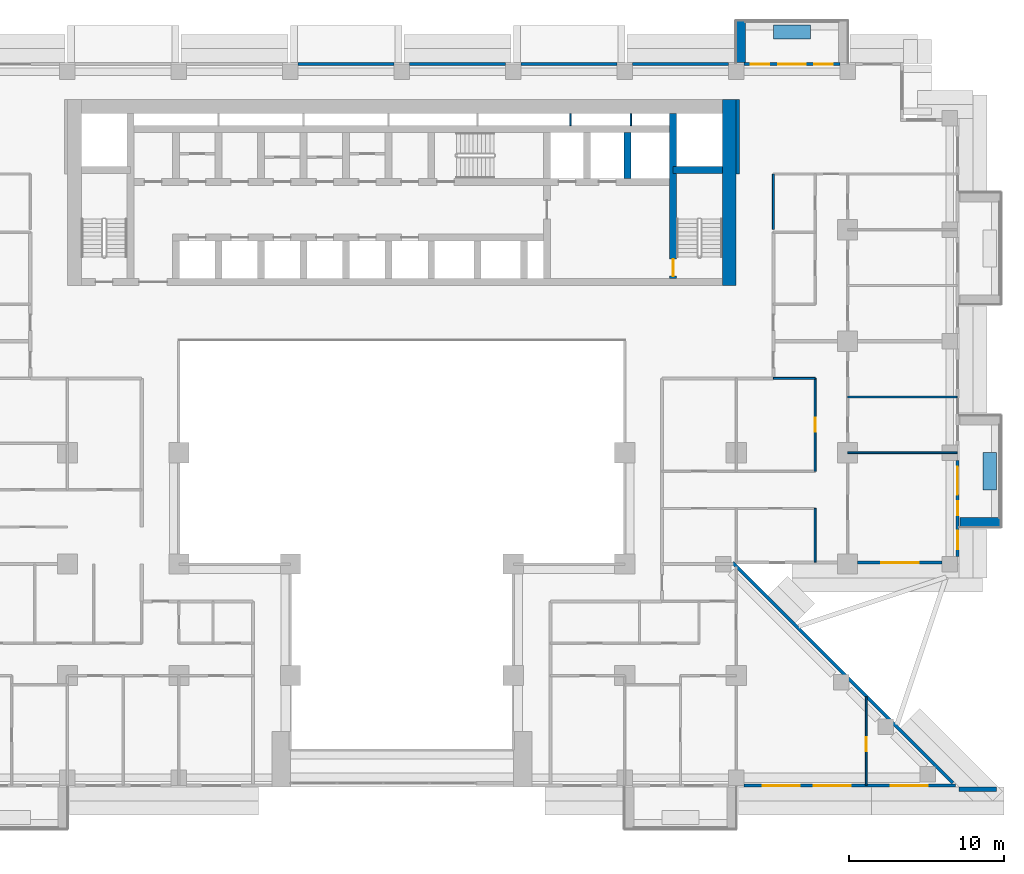
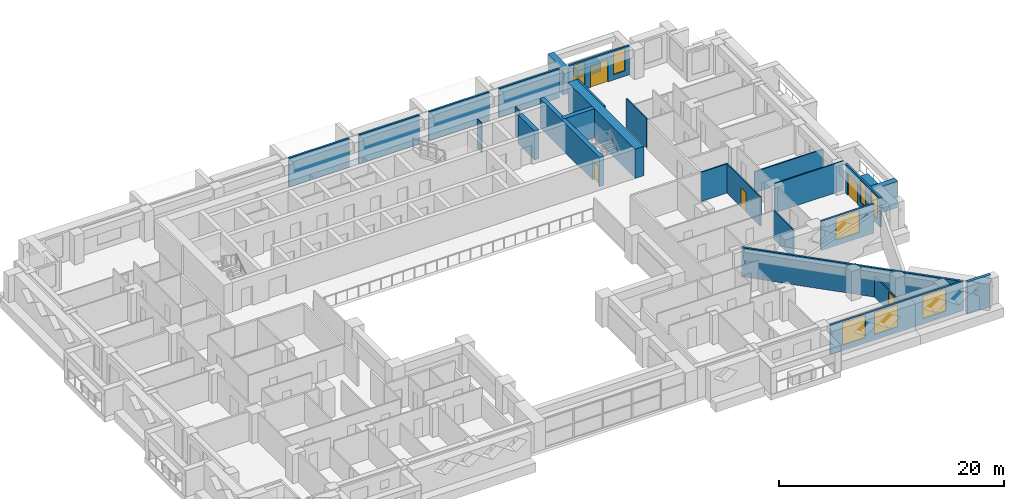
# One storey, part 11 of 17: 28 walls, 8 windows, 5 doors, 13 openings.
"""IFC4 building model written with IfcOpenShell, lengths in metres."""

from ifc_helpers import new_model, si_unit, direction, frame, frame_2d, origin, place, context, subcontext, project, spatial, rectangle, extrude, material, layer, layer_set, type_object, element, fill, save


model = new_model("IFC4")

# Units and contexts
model_context = context("Model", 3, precision=1e-05, world=origin(), true_north=direction((0.0, 1.0)))
body_context = subcontext(model_context, "Body", "Model", "MODEL_VIEW")
ifc_project = project(units=[si_unit("LENGTHUNIT", "METRE"), si_unit("AREAUNIT", "SQUARE_METRE"), si_unit("VOLUMEUNIT", "CUBIC_METRE"), si_unit("PLANEANGLEUNIT", "RADIAN"), si_unit("MASSUNIT", "GRAM", prefix="KILO")], contexts=[model_context])

# Site, building, storey
site_placement = place(None, origin())
site = spatial("IfcSite", under=ifc_project, at=site_placement, CompositionType="ELEMENT")
building_placement = place(site_placement, origin())
building = spatial("IfcBuilding", under=site, at=building_placement, Name="Saffron Iwan Residences", CompositionType="ELEMENT")
storey_placement = place(building_placement, frame((0.0, 0.0, 72.5)))
storey = spatial("IfcBuildingStorey", under=building, at=storey_placement, Name="L18", CompositionType="ELEMENT", Elevation=72.5)

# Walls
ifc_material_1 = material(Name="Concrete C50/60 white painted", Category="concrete")
ifc_layer_1 = layer(ifc_material_1, 0.60009765625)
ifc_layer_set_1 = layer_set([ifc_layer_1], Name="Concrete C50/60 white painted")
wall_type_1 = type_object("IfcWallType", Name="BALCONY FIN 600", PredefinedType="SOLIDWALL", material=ifc_layer_set_1)
wall_1_placement = place(storey_placement, frame((86.449951171875, 50.699951171875, 0.0), z_axis=(0.0, 0.0, 1.0), x_axis=(1.0, 0.0, 0.0)))
element("IfcWall", 1, at=wall_1_placement, inside=storey, type_object=wall_type_1, Name="Balcony fin L18 F2-0a", PredefinedType="SOLIDWALL", context=body_context, shape_type="SweptSolid", body=[
    extrude(rectangle(XDim=2.650146484375, YDim=0.60009765625, at=frame_2d((1.3251953125, 0.0))), origin(), (0.0, 0.0, 1.0), 2.85009765625),
])
wall_2_placement = place(storey_placement, frame((72.300048828125, 80.39990234375, 0.0), z_axis=(0.0, 0.0, 1.0), x_axis=(0.0, 1.0, 0.0)))
element("IfcWall", 2, at=wall_2_placement, inside=storey, type_object=wall_type_1, Name="Balcony fin L18 F5-0b", PredefinedType="SOLIDWALL", context=body_context, shape_type="SweptSolid", body=[
    extrude(rectangle(XDim=2.7001953125, YDim=0.60009765625, at=frame_2d((1.35009765625, 0.0))), origin(), (0.0, 0.0, 1.0), 2.85009765625),
])
ifc_material_2 = material(Name="Concrete C35/45 white painted", Category="concrete")
ifc_layer_2 = layer(ifc_material_2, 0.14990234375)
ifc_layer_set_2 = layer_set([ifc_layer_2], Name="Concrete C35/45 white painted")
wall_type_2 = type_object("IfcWallType", Name="BALCONY PLANTER", PredefinedType="SOLIDWALL", material=ifc_layer_set_2)
wall_3_placement = place(storey_placement, frame((88.375, 52.800048828125, 0.0), z_axis=(0.0, 0.0, 1.0), x_axis=(0.0, 1.0, 0.0)))
element("IfcWall", 3, at=wall_3_placement, inside=storey, type_object=wall_type_2, Name="PLANTER L18 F2-0", PredefinedType="SOLIDWALL", context=body_context, shape_type="SweptSolid", body=[
    extrude(rectangle(XDim=2.39990234375, YDim=0.89990234375, at=frame_2d((1.199951171875, 0.0))), origin(), (0.0, 0.0, 1.0), 0.89990234375),
])
wall_4_placement = place(storey_placement, frame((76.800048828125, 82.375, 0.0), z_axis=(0.0, 0.0, 1.0), x_axis=(-1.0, 0.0, 0.0)))
element("IfcWall", 4, at=wall_4_placement, inside=storey, type_object=wall_type_2, Name="PLANTER L18 F5-0", PredefinedType="SOLIDWALL", context=body_context, shape_type="SweptSolid", body=[
    extrude(rectangle(XDim=2.400146484375, YDim=0.89990234375, at=frame_2d((1.2001953125, 0.0))), origin(), (0.0, 0.0, 1.0), 0.89990234375),
])
ifc_material_3 = material(Name="Concrete C40/50", Category="concrete")
ifc_layer_3 = layer(ifc_material_3, 0.199951171875)
ifc_layer_set_3 = layer_set([ifc_layer_3], Name="Concrete C40/50")
wall_type_3 = type_object("IfcWallType", Name="EXTERNAL WALL 200", PredefinedType="SOLIDWALL", material=ifc_layer_set_3)
wall_5_placement = place(storey_placement, frame((85.995849609375, 33.862548828125, 0.0), z_axis=(0.0, 0.0, 1.0), x_axis=(-0.707100718496, 0.707112843825, 0.0)))
element("IfcWall", 5, at=wall_5_placement, inside=storey, type_object=wall_type_3, Name="External wall L18 F0.0", PredefinedType="SOLIDWALL", context=body_context, shape_type="SweptSolid", body=[
    extrude(rectangle(XDim=20.134765625, YDim=0.199951171875, at=frame_2d((10.0673828125, 0.0))), origin(), (0.0, 0.0, 1.0), 3.179931640625),
])

# Wall, opening, window
wall_6_placement = place(storey_placement, frame((79.85009765625, 48.10009765625, 0.0), z_axis=(0.0, 0.0, 1.0), x_axis=(1.0, 0.0, 0.0)))
wall_6 = element("IfcWall", 6, at=wall_6_placement, inside=storey, type_object=wall_type_3, Name="External wall L18 F1.1", PredefinedType="SOLIDWALL", context=body_context, shape_type="SweptSolid", body=[
    extrude(rectangle(XDim=5.449951171875, YDim=0.199951171875, at=frame_2d((2.72509765625, 0.0))), origin(), (0.0, 0.0, 1.0), 3.179931640625),
])
opening_1_placement = place(wall_6_placement, frame((1.52490234375, 0.0, 0.60009765625)))
opening_1 = element("IfcOpeningElement", 7, at=opening_1_placement, cuts=wall_6, Name="Opening W1", PredefinedType="OPENING", context=body_context, shape_type="SweptSolid", body=[
    extrude(rectangle(XDim=2.39990234375, YDim=2.39990234375, at=frame_2d((1.199951171875, 1.199951171875))), frame((0.0, 0.10986328125, 0.0), z_axis=(0.0, -1.0, 0.0), x_axis=(1.0, 0.0, 0.0)), (0.0, 0.0, 1.0), 0.219970703125),
])
ifc_material_4 = material(Name="Clear glass, laminated double glazed", Category="glass")
window_type_1 = type_object("IfcWindowType", Name="WINDOW 2400 x 2400", PartitioningType="DOUBLE_PANEL_VERTICAL", PredefinedType="WINDOW", material=ifc_material_4)
window_1_placement = place(opening_1_placement, origin())
window_1 = element("IfcWindow", 8, at=window_1_placement, inside=storey, type_object=window_type_1, Name="Window L18 F1.0", OverallHeight=2.39990234375, OverallWidth=2.39990234375, PartitioningType="DOUBLE_PANEL_VERTICAL", PredefinedType="WINDOW", context=body_context, shape_type="SweptSolid", body=[
    extrude(rectangle(XDim=2.39990234375, YDim=2.39990234375, at=frame_2d((1.199951171875, 1.199951171875))), frame((0.0, 0.030029296875, 0.0), z_axis=(0.0, -1.0, 0.0), x_axis=(1.0, 0.0, 0.0)), (0.0, 0.0, 1.0), 0.06005859375),
])
fill(opening_1, window_1)

# Wall, openings, door, windows
wall_7_placement = place(storey_placement, frame((86.300048828125, 48.5, 0.0), z_axis=(0.0, 0.0, 1.0), x_axis=(0.0, 1.0, 0.0)))
wall_7 = element("IfcWall", 9, at=wall_7_placement, inside=storey, type_object=wall_type_3, Name="External wall L18 F2.0", PredefinedType="SOLIDWALL", context=body_context, shape_type="SweptSolid", body=[
    extrude(rectangle(XDim=6.199951171875, YDim=0.199951171875, at=frame_2d((3.10009765625, 0.0))), origin(), (0.0, 0.0, 1.0), 3.179931640625),
])
opening_2_placement = place(wall_7_placement, frame((4.0, 0.0, 0.0)))
opening_2 = element("IfcOpeningElement", 10, at=opening_2_placement, cuts=wall_7, Name="Opening BD1", PredefinedType="OPENING", context=body_context, shape_type="SweptSolid", body=[
    extrude(rectangle(XDim=1.800048828125, YDim=2.39990234375, at=frame_2d((0.89990234375, 1.199951171875))), frame((0.0, 0.10986328125, 0.0), z_axis=(0.0, -1.0, 0.0), x_axis=(1.0, 0.0, 0.0)), (0.0, 0.0, 1.0), 0.219970703125),
])
opening_3_placement = place(wall_7_placement, frame((0.449951171875, 0.0, 0.60009765625)))
opening_3 = element("IfcOpeningElement", 11, at=opening_3_placement, cuts=wall_7, Name="Opening W3", PredefinedType="OPENING", context=body_context, shape_type="SweptSolid", body=[
    extrude(rectangle(XDim=1.199951171875, YDim=2.39990234375, at=frame_2d((0.60009765625, 1.199951171875))), frame((0.0, 0.10986328125, 0.0), z_axis=(0.0, -1.0, 0.0), x_axis=(1.0, 0.0, 0.0)), (0.0, 0.0, 1.0), 0.219970703125),
])
opening_4_placement = place(wall_7_placement, frame((2.64990234375, 0.0, 0.60009765625)))
opening_4 = element("IfcOpeningElement", 12, at=opening_4_placement, cuts=wall_7, Name="Opening W10", PredefinedType="OPENING", context=body_context, shape_type="SweptSolid", body=[
    extrude(rectangle(XDim=0.89990234375, YDim=2.39990234375, at=frame_2d((0.449951171875, 1.199951171875))), frame((0.0, 0.10986328125, 0.0), z_axis=(0.0, -1.0, 0.0), x_axis=(1.0, 0.0, 0.0)), (0.0, 0.0, 1.0), 0.219970703125),
])
door_type_1 = type_object("IfcDoorType", Name="BALCONY DOOR 1800 x 2400", OperationType="DOUBLE_DOOR_SLIDING", PredefinedType="DOOR", material=ifc_material_4)
door_1_placement = place(opening_2_placement, origin())
door_1 = element("IfcDoor", 13, at=door_1_placement, inside=storey, type_object=door_type_1, Name="Balcony door L18 F2.0", OperationType="DOUBLE_DOOR_SLIDING", OverallHeight=2.39990234375, OverallWidth=1.800048828125, PredefinedType="DOOR", context=body_context, shape_type="SweptSolid", body=[
    extrude(rectangle(XDim=1.800048828125, YDim=2.39990234375, at=frame_2d((0.89990234375, 1.199951171875))), frame((0.0, 0.02490234375, 0.0), z_axis=(0.0, -1.0, 0.0), x_axis=(1.0, 0.0, 0.0)), (0.0, 0.0, 1.0), 0.050048828125),
])
fill(opening_2, door_1)
window_type_2 = type_object("IfcWindowType", Name="WINDOW 1200 x 2400", PartitioningType="SINGLE_PANEL", PredefinedType="WINDOW", material=ifc_material_4)
window_2_placement = place(opening_3_placement, origin())
window_2 = element("IfcWindow", 14, at=window_2_placement, inside=storey, type_object=window_type_2, Name="Window L18 F2.1", OverallHeight=2.39990234375, OverallWidth=1.199951171875, PartitioningType="SINGLE_PANEL", PredefinedType="WINDOW", context=body_context, shape_type="SweptSolid", body=[
    extrude(rectangle(XDim=1.199951171875, YDim=2.39990234375, at=frame_2d((0.60009765625, 1.199951171875))), frame((0.0, 0.030029296875, 0.0), z_axis=(0.0, -1.0, 0.0), x_axis=(1.0, 0.0, 0.0)), (0.0, 0.0, 1.0), 0.06005859375),
])
fill(opening_3, window_2)
window_type_3 = type_object("IfcWindowType", Name="WINDOW 900 x 2400", PartitioningType="SINGLE_PANEL", PredefinedType="WINDOW", material=ifc_material_4)
window_3_placement = place(opening_4_placement, origin())
window_3 = element("IfcWindow", 15, at=window_3_placement, inside=storey, type_object=window_type_3, Name="Window L18 F2.2", OverallHeight=2.39990234375, OverallWidth=0.89990234375, PartitioningType="SINGLE_PANEL", PredefinedType="WINDOW", context=body_context, shape_type="SweptSolid", body=[
    extrude(rectangle(XDim=0.89990234375, YDim=2.39990234375, at=frame_2d((0.449951171875, 1.199951171875))), frame((0.0, 0.030029296875, 0.0), z_axis=(0.0, -1.0, 0.0), x_axis=(1.0, 0.0, 0.0)), (0.0, 0.0, 1.0), 0.06005859375),
])
fill(opening_4, window_3)

wall_8_placement = place(storey_placement, frame((78.699951171875, 80.300048828125, 0.0), z_axis=(0.0, 0.0, 1.0), x_axis=(-1.0, 0.0, 0.0)))
wall_8 = element("IfcWall", 16, at=wall_8_placement, inside=storey, type_object=wall_type_3, Name="External wall L18 F5.1", PredefinedType="SOLIDWALL", context=body_context, shape_type="SweptSolid", body=[
    extrude(rectangle(XDim=6.199951171875, YDim=0.199951171875, at=frame_2d((3.10009765625, 0.0))), origin(), (0.0, 0.0, 1.0), 3.179931640625),
])
opening_5_placement = place(wall_8_placement, frame((2.199951171875, 0.0, 0.0)))
opening_5 = element("IfcOpeningElement", 17, at=opening_5_placement, cuts=wall_8, Name="Opening BD1", PredefinedType="OPENING", context=body_context, shape_type="SweptSolid", body=[
    extrude(rectangle(XDim=1.800048828125, YDim=2.39990234375, at=frame_2d((0.89990234375, 1.199951171875))), frame((0.0, 0.10986328125, 0.0), z_axis=(0.0, -1.0, 0.0), x_axis=(1.0, 0.0, 0.0)), (0.0, 0.0, 1.0), 0.219970703125),
])
opening_6_placement = place(wall_8_placement, frame((0.449951171875, 0.0, 0.60009765625)))
opening_6 = element("IfcOpeningElement", 18, at=opening_6_placement, cuts=wall_8, Name="Opening W3", PredefinedType="OPENING", context=body_context, shape_type="SweptSolid", body=[
    extrude(rectangle(XDim=1.199951171875, YDim=2.39990234375, at=frame_2d((0.60009765625, 1.199951171875))), frame((0.0, 0.10986328125, 0.0), z_axis=(0.0, -1.0, 0.0), x_axis=(1.0, 0.0, 0.0)), (0.0, 0.0, 1.0), 0.219970703125),
])
opening_7_placement = place(wall_8_placement, frame((4.550048828125, 0.0, 0.60009765625)))
opening_7 = element("IfcOpeningElement", 19, at=opening_7_placement, cuts=wall_8, Name="Opening W3", PredefinedType="OPENING", context=body_context, shape_type="SweptSolid", body=[
    extrude(rectangle(XDim=1.199951171875, YDim=2.39990234375, at=frame_2d((0.60009765625, 1.199951171875))), frame((0.0, 0.10986328125, 0.0), z_axis=(0.0, -1.0, 0.0), x_axis=(1.0, 0.0, 0.0)), (0.0, 0.0, 1.0), 0.219970703125),
])
door_2_placement = place(opening_5_placement, origin())
door_2 = element("IfcDoor", 20, at=door_2_placement, inside=storey, type_object=door_type_1, Name="Balcony door L18 F5.0", OperationType="DOUBLE_DOOR_SLIDING", OverallHeight=2.39990234375, OverallWidth=1.800048828125, PredefinedType="DOOR", context=body_context, shape_type="SweptSolid", body=[
    extrude(rectangle(XDim=1.800048828125, YDim=2.39990234375, at=frame_2d((0.89990234375, 1.199951171875))), frame((0.0, 0.02490234375, 0.0), z_axis=(0.0, -1.0, 0.0), x_axis=(1.0, 0.0, 0.0)), (0.0, 0.0, 1.0), 0.050048828125),
])
fill(opening_5, door_2)
window_4_placement = place(opening_6_placement, origin())
window_4 = element("IfcWindow", 21, at=window_4_placement, inside=storey, type_object=window_type_2, Name="Window L18 F5.1", OverallHeight=2.39990234375, OverallWidth=1.199951171875, PartitioningType="SINGLE_PANEL", PredefinedType="WINDOW", context=body_context, shape_type="SweptSolid", body=[
    extrude(rectangle(XDim=1.199951171875, YDim=2.39990234375, at=frame_2d((0.60009765625, 1.199951171875))), frame((0.0, 0.030029296875, 0.0), z_axis=(0.0, -1.0, 0.0), x_axis=(1.0, 0.0, 0.0)), (0.0, 0.0, 1.0), 0.06005859375),
])
fill(opening_6, window_4)
window_5_placement = place(opening_7_placement, origin())
window_5 = element("IfcWindow", 22, at=window_5_placement, inside=storey, type_object=window_type_2, Name="Window L18 F5.2", OverallHeight=2.39990234375, OverallWidth=1.199951171875, PartitioningType="SINGLE_PANEL", PredefinedType="WINDOW", context=body_context, shape_type="SweptSolid", body=[
    extrude(rectangle(XDim=1.199951171875, YDim=2.39990234375, at=frame_2d((0.60009765625, 1.199951171875))), frame((0.0, 0.030029296875, 0.0), z_axis=(0.0, -1.0, 0.0), x_axis=(1.0, 0.0, 0.0)), (0.0, 0.0, 1.0), 0.06005859375),
])
fill(opening_7, window_5)

# Walls
for number, where, z_axis, x_axis, name in (
    (23, (71.5, 80.300048828125, 0.0), (0.0, 0.0, 1.0), (-1.0, 0.0, 0.0), "External wall L18 F5.2"),
    (24, (64.300048828125, 80.300048828125, 0.0), (0.0, 0.0, 1.0), (-1.0, 0.0, 0.0), "External wall L18 F5.3"),
):
    element("IfcWall", number, at=place(storey_placement, frame(where, z_axis=z_axis, x_axis=x_axis)), inside=storey, type_object=wall_type_3, Name=name, PredefinedType="SOLIDWALL", context=body_context, shape_type="SweptSolid", body=[
        extrude(rectangle(XDim=6.199951171875, YDim=0.199951171875, at=frame_2d((3.10009765625, 0.0))), origin(), (0.0, 0.0, 1.0), 3.179931640625),
    ])
wall_9_placement = place(storey_placement, frame((57.10009765625, 80.300048828125, 0.0), z_axis=(0.0, 0.0, 1.0), x_axis=(-1.0, 0.0, 0.0)))
element("IfcWall", 25, at=wall_9_placement, inside=storey, type_object=wall_type_3, Name="External wall L18 F5.4", PredefinedType="SOLIDWALL", context=body_context, shape_type="SweptSolid", body=[
    extrude(rectangle(XDim=6.2001953125, YDim=0.199951171875, at=frame_2d((3.10009765625, 0.0))), origin(), (0.0, 0.0, 1.0), 3.179931640625),
])
wall_10_placement = place(storey_placement, frame((49.89990234375, 80.300048828125, 0.0), z_axis=(0.0, 0.0, 1.0), x_axis=(-1.0, 0.0, 0.0)))
element("IfcWall", 26, at=wall_10_placement, inside=storey, type_object=wall_type_3, Name="External wall L18 F5.5", PredefinedType="SOLIDWALL", context=body_context, shape_type="SweptSolid", body=[
    extrude(rectangle(XDim=6.199951171875, YDim=0.199951171875, at=frame_2d((3.10009765625, 0.0))), origin(), (0.0, 0.0, 1.0), 3.179931640625),
])

# Wall, openings, windows
wall_11_placement = place(storey_placement, frame((72.5, 33.699951171875, 0.0), z_axis=(0.0, 0.0, 1.0), x_axis=(1.0, 0.0, 0.0)))
wall_11 = element("IfcWall", 27, at=wall_11_placement, inside=storey, type_object=wall_type_3, Name="External wall L18 F11.6", PredefinedType="SOLIDWALL", context=body_context, shape_type="SweptSolid", body=[
    extrude(rectangle(XDim=13.65869140625, YDim=0.199951171875, at=frame_2d((6.829345703125, 0.0))), origin(), (0.0, 0.0, 1.0), 3.179931640625),
])
opening_8_placement = place(wall_11_placement, frame((1.199951171875, 0.0, 0.60009765625)))
opening_8 = element("IfcOpeningElement", 28, at=opening_8_placement, cuts=wall_11, Name="Opening W1", PredefinedType="OPENING", context=body_context, shape_type="SweptSolid", body=[
    extrude(rectangle(XDim=2.39990234375, YDim=2.39990234375, at=frame_2d((1.199951171875, 1.199951171875))), frame((0.0, 0.10986328125, 0.0), z_axis=(0.0, -1.0, 0.0), x_axis=(1.0, 0.0, 0.0)), (0.0, 0.0, 1.0), 0.219970703125),
])
opening_9_placement = place(wall_11_placement, frame((4.5, 0.0, 0.60009765625)))
opening_9 = element("IfcOpeningElement", 29, at=opening_9_placement, cuts=wall_11, Name="Opening W1", PredefinedType="OPENING", context=body_context, shape_type="SweptSolid", body=[
    extrude(rectangle(XDim=2.39990234375, YDim=2.39990234375, at=frame_2d((1.199951171875, 1.199951171875))), frame((0.0, 0.10986328125, 0.0), z_axis=(0.0, -1.0, 0.0), x_axis=(1.0, 0.0, 0.0)), (0.0, 0.0, 1.0), 0.219970703125),
])
opening_10_placement = place(wall_11_placement, frame((9.479248046875, 0.0, 0.60009765625)))
opening_10 = element("IfcOpeningElement", 30, at=opening_10_placement, cuts=wall_11, Name="Opening W1", PredefinedType="OPENING", context=body_context, shape_type="SweptSolid", body=[
    extrude(rectangle(XDim=2.39990234375, YDim=2.39990234375, at=frame_2d((1.199951171875, 1.199951171875))), frame((0.0, 0.10986328125, 0.0), z_axis=(0.0, -1.0, 0.0), x_axis=(1.0, 0.0, 0.0)), (0.0, 0.0, 1.0), 0.219970703125),
])
window_6_placement = place(opening_8_placement, origin())
window_6 = element("IfcWindow", 31, at=window_6_placement, inside=storey, type_object=window_type_1, Name="Window L18 F11.0", OverallHeight=2.39990234375, OverallWidth=2.39990234375, PartitioningType="DOUBLE_PANEL_VERTICAL", PredefinedType="WINDOW", context=body_context, shape_type="SweptSolid", body=[
    extrude(rectangle(XDim=2.39990234375, YDim=2.39990234375, at=frame_2d((1.199951171875, 1.199951171875))), frame((0.0, 0.030029296875, 0.0), z_axis=(0.0, -1.0, 0.0), x_axis=(1.0, 0.0, 0.0)), (0.0, 0.0, 1.0), 0.06005859375),
])
fill(opening_8, window_6)
window_7_placement = place(opening_9_placement, origin())
window_7 = element("IfcWindow", 32, at=window_7_placement, inside=storey, type_object=window_type_1, Name="Window L18 F11.1", OverallHeight=2.39990234375, OverallWidth=2.39990234375, PartitioningType="DOUBLE_PANEL_VERTICAL", PredefinedType="WINDOW", context=body_context, shape_type="SweptSolid", body=[
    extrude(rectangle(XDim=2.39990234375, YDim=2.39990234375, at=frame_2d((1.199951171875, 1.199951171875))), frame((0.0, 0.030029296875, 0.0), z_axis=(0.0, -1.0, 0.0), x_axis=(1.0, 0.0, 0.0)), (0.0, 0.0, 1.0), 0.06005859375),
])
fill(opening_9, window_7)
window_8_placement = place(opening_10_placement, origin())
window_8 = element("IfcWindow", 33, at=window_8_placement, inside=storey, type_object=window_type_1, Name="Window L18 F11.2", OverallHeight=2.39990234375, OverallWidth=2.39990234375, PartitioningType="DOUBLE_PANEL_VERTICAL", PredefinedType="WINDOW", context=body_context, shape_type="SweptSolid", body=[
    extrude(rectangle(XDim=2.39990234375, YDim=2.39990234375, at=frame_2d((1.199951171875, 1.199951171875))), frame((0.0, 0.030029296875, 0.0), z_axis=(0.0, -1.0, 0.0), x_axis=(1.0, 0.0, 0.0)), (0.0, 0.0, 1.0), 0.06005859375),
])
fill(opening_10, window_8)

# Walls
ifc_material_5 = material(Name="Gypsum board partition")
ifc_layer_4 = layer(ifc_material_5, 0.1201171875)
ifc_layer_set_4 = layer_set([ifc_layer_4], Name="Gypsum board partition")
wall_type_4 = type_object("IfcWallType", Name="Flat partition 120", PredefinedType="PARTITIONING", material=ifc_layer_set_4)
wall_12_placement = place(storey_placement, frame((79.199951171875, 55.199951171875, 0.0), z_axis=(0.0, 0.0, 1.0), x_axis=(1.0, 0.0, 0.0)))
element("IfcWall", 34, at=wall_12_placement, inside=storey, type_object=wall_type_4, Name="W-L18-PART-h55.2-79.2", PredefinedType="PARTITIONING", context=body_context, shape_type="SweptSolid", body=[
    extrude(rectangle(XDim=7.074951171875, YDim=0.1201171875, at=frame_2d((3.53759765625, 0.0))), origin(), (0.0, 0.0, 1.0), 3.179931640625),
])
wall_13_placement = place(storey_placement, frame((79.199951171875, 58.800048828125, 0.0), z_axis=(0.0, 0.0, 1.0), x_axis=(1.0, 0.0, 0.0)))
element("IfcWall", 35, at=wall_13_placement, inside=storey, type_object=wall_type_4, Name="W-L18-PART-h58.8-79.2", PredefinedType="PARTITIONING", context=body_context, shape_type="SweptSolid", body=[
    extrude(rectangle(XDim=7.074951171875, YDim=0.1201171875, at=frame_2d((3.53759765625, 0.0))), origin(), (0.0, 0.0, 1.0), 2.280029296875),
])
wall_14_placement = place(storey_placement, frame((74.39990234375, 60.0, 0.0), z_axis=(0.0, 0.0, 1.0), x_axis=(1.0, 0.0, 0.0)))
element("IfcWall", 36, at=wall_14_placement, inside=storey, type_object=wall_type_4, Name="W-L18-PART-h60-74.4", PredefinedType="PARTITIONING", context=body_context, shape_type="SweptSolid", body=[
    extrude(rectangle(XDim=2.7001953125, YDim=0.1201171875, at=frame_2d((1.35009765625, 0.0))), origin(), (0.0, 0.0, 1.0), 3.179931640625),
])
wall_15_placement = place(storey_placement, frame((74.39990234375, 69.6201171875, 0.0), z_axis=(0.0, 0.0, 1.0), x_axis=(0.0, 1.0, 0.0)))
element("IfcWall", 37, at=wall_15_placement, inside=storey, type_object=wall_type_4, Name="W-L18-PART-v74.4-69.62", PredefinedType="PARTITIONING", context=body_context, shape_type="SweptSolid", body=[
    extrude(rectangle(XDim=3.579833984375, YDim=0.1201171875, at=frame_2d((1.7900390625, 0.0))), origin(), (0.0, 0.0, 1.0), 3.179931640625),
])
wall_16_placement = place(storey_placement, frame((77.10009765625, 48.125, 0.0), z_axis=(0.0, 0.0, 1.0), x_axis=(0.0, 1.0, 0.0)))
element("IfcWall", 38, at=wall_16_placement, inside=storey, type_object=wall_type_4, Name="W-L18-PART-v77.1-48.125", PredefinedType="PARTITIONING", context=body_context, shape_type="SweptSolid", body=[
    extrude(rectangle(XDim=3.47509765625, YDim=0.1201171875, at=frame_2d((1.737548828125, 0.0))), origin(), (0.0, 0.0, 1.0), 3.179931640625),
])

# Wall, opening, door
wall_17_placement = place(storey_placement, frame((77.10009765625, 54.0, 0.0), z_axis=(0.0, 0.0, 1.0), x_axis=(0.0, 1.0, 0.0)))
wall_17 = element("IfcWall", 39, at=wall_17_placement, inside=storey, type_object=wall_type_4, Name="W-L18-PART-v77.1-54", PredefinedType="PARTITIONING", context=body_context, shape_type="SweptSolid", body=[
    extrude(rectangle(XDim=6.0, YDim=0.1201171875, at=frame_2d((3.0, 0.0))), origin(), (0.0, 0.0, 1.0), 3.179931640625),
])
opening_11_placement = place(wall_17_placement, frame((2.550048828125, 0.0, 0.0)))
opening_11 = element("IfcOpeningElement", 40, at=opening_11_placement, cuts=wall_17, Name="Opening FD2", PredefinedType="OPENING", context=body_context, shape_type="SweptSolid", body=[
    extrude(rectangle(XDim=0.89990234375, YDim=2.10009765625, at=frame_2d((0.449951171875, 1.050048828125))), frame((0.0, 0.070068359375, 0.0), z_axis=(0.0, -1.0, 0.0), x_axis=(1.0, 0.0, 0.0)), (0.0, 0.0, 1.0), 0.14013671875),
])
ifc_material_6 = material(Name="Timber door", Category="wood")
door_type_2 = type_object("IfcDoorType", Name="Flat door 900", OperationType="NOTDEFINED", PredefinedType="DOOR", material=ifc_material_6)
door_3_placement = place(opening_11_placement, origin())
door_3 = element("IfcDoor", 41, at=door_3_placement, inside=storey, type_object=door_type_2, Name="Door L18-026", OperationType="SINGLE_SWING_LEFT", OverallHeight=2.10009765625, OverallWidth=0.89990234375, PredefinedType="DOOR", context=body_context, shape_type="SweptSolid", body=[
    extrude(rectangle(XDim=0.89990234375, YDim=2.10009765625, at=frame_2d((0.449951171875, 1.050048828125))), frame((0.0, 0.02490234375, 0.0), z_axis=(0.0, -1.0, 0.0), x_axis=(1.0, 0.0, 0.0)), (0.0, 0.0, 1.0), 0.050048828125),
])
fill(opening_11, door_3)

wall_18_placement = place(storey_placement, frame((80.39990234375, 33.72509765625, 0.0), z_axis=(0.0, 0.0, 1.0), x_axis=(0.0, 1.0, 0.0)))
wall_18 = element("IfcWall", 42, at=wall_18_placement, inside=storey, type_object=wall_type_4, Name="W-L18-PART-v80.4-33.725", PredefinedType="PARTITIONING", context=body_context, shape_type="SweptSolid", body=[
    extrude(rectangle(XDim=5.697998046875, YDim=0.1201171875, at=frame_2d((2.84912109375, 0.0))), origin(), (0.0, 0.0, 1.0), 2.280029296875),
])
opening_12_placement = place(wall_18_placement, frame((2.198974609375, 0.0, 0.0)))
opening_12 = element("IfcOpeningElement", 43, at=opening_12_placement, cuts=wall_18, Name="Opening FD2", PredefinedType="OPENING", context=body_context, shape_type="SweptSolid", body=[
    extrude(rectangle(XDim=0.89990234375, YDim=2.10009765625, at=frame_2d((0.449951171875, 1.050048828125))), frame((0.0, 0.070068359375, 0.0), z_axis=(0.0, -1.0, 0.0), x_axis=(1.0, 0.0, 0.0)), (0.0, 0.0, 1.0), 0.14013671875),
])
door_4_placement = place(opening_12_placement, origin())
door_4 = element("IfcDoor", 44, at=door_4_placement, inside=storey, type_object=door_type_2, Name="Door L18-051", OperationType="SINGLE_SWING_RIGHT", OverallHeight=2.10009765625, OverallWidth=0.89990234375, PredefinedType="DOOR", context=body_context, shape_type="SweptSolid", body=[
    extrude(rectangle(XDim=0.89990234375, YDim=2.10009765625, at=frame_2d((0.449951171875, 1.050048828125))), frame((0.0, 0.02490234375, 0.0), z_axis=(0.0, -1.0, 0.0), x_axis=(1.0, 0.0, 0.0)), (0.0, 0.0, 1.0), 0.050048828125),
])
fill(opening_12, door_4)

# Walls
ifc_material_7 = material(Name="Fire-rated gypsum board wall")
ifc_layer_5 = layer(ifc_material_7, 0.199951171875)
ifc_layer_set_5 = layer_set([ifc_layer_5], Name="Fire-rated gypsum board wall")
wall_type_5 = type_object("IfcWallType", Name="Gallery wall 200", PredefinedType="SOLIDWALL", material=ifc_layer_set_5)
wall_19_placement = place(storey_placement, frame((72.10009765625, 73.199951171875, 0.0), z_axis=(0.0, 0.0, 1.0), x_axis=(0.0, 1.0, 0.0)))
element("IfcWall", 45, at=wall_19_placement, inside=storey, type_object=wall_type_5, Name="W-L18-CORR-v72-73.2", PredefinedType="SOLIDWALL", context=body_context, shape_type="SweptSolid", body=[
    extrude(rectangle(XDim=4.800048828125, YDim=0.199951171875, at=frame_2d((2.39990234375, 0.0))), origin(), (0.0, 0.0, 1.0), 3.179931640625),
])
ifc_layer_6 = layer(ifc_material_1, 0.300048828125)
ifc_layer_set_6 = layer_set([ifc_layer_6], Name="Concrete C50/60 white painted")
wall_type_6 = type_object("IfcWallType", Name="PROW BLADE 300", PredefinedType="SOLIDWALL", material=ifc_layer_set_6)
wall_20_placement = place(storey_placement, frame((86.39990234375, 33.449951171875, -0.320068359375), z_axis=(0.0, 0.0, 1.0), x_axis=(1.0, 0.0, 0.0)))
element("IfcWall", 46, at=wall_20_placement, inside=storey, type_object=wall_type_6, Name="Prow blade L18", PredefinedType="SOLIDWALL", context=body_context, shape_type="SweptSolid", body=[
    extrude(rectangle(XDim=2.400146484375, YDim=0.300048828125, at=frame_2d((1.2001953125, 0.0))), origin(), (0.0, 0.0, 1.0), 3.5),
])
ifc_material_8 = material(Name="Fire-rated plasterboard partition")
ifc_layer_7 = layer(ifc_material_8, 0.10009765625)
ifc_layer_set_7 = layer_set([ifc_layer_7], Name="Fire-rated plasterboard partition")
wall_type_7 = type_object("IfcWallType", Name="Riser partition 100", PredefinedType="PARTITIONING", material=ifc_layer_set_7)
for number, where, z_axis, x_axis, name in (
    (47, (61.300048828125, 76.324951171875, 0.0), (0.0, 0.0, 1.0), (0.0, 1.0, 0.0), "Core partition P09"),
    (48, (65.199951171875, 76.324951171875, 0.0), (0.0, 0.0, 1.0), (0.0, 1.0, 0.0), "Core partition P10"),
):
    element("IfcWall", number, at=place(storey_placement, frame(where, z_axis=z_axis, x_axis=x_axis)), inside=storey, type_object=wall_type_7, Name=name, PredefinedType="PARTITIONING", context=body_context, shape_type="SweptSolid", body=[
        extrude(rectangle(XDim=0.775146484375, YDim=0.10009765625, at=frame_2d((0.3876953125, 0.0))), origin(), (0.0, 0.0, 1.0), 3.179931640625),
    ])
ifc_material_9 = material(Name="Concrete C60/75", Category="concrete")
ifc_layer_8 = layer(ifc_material_9, 0.449951171875)
ifc_layer_set_8 = layer_set([ifc_layer_8], Name="Concrete C60/75")
wall_type_8 = type_object("IfcWallType", Name="WALL CORE 450 C60/75 3180 HIGH", PredefinedType="SHEAR", material=ifc_layer_set_8)
wall_21_placement = place(storey_placement, frame((67.925048828125, 73.47509765625, 0.0), z_axis=(0.0, 0.0, 1.0), x_axis=(1.0, 0.0, 0.0)))
element("IfcWall", 49, at=wall_21_placement, inside=storey, type_object=wall_type_8, Name="Core wall", PredefinedType="SHEAR", context=body_context, shape_type="SweptSolid", body=[
    extrude(rectangle(XDim=3.175048828125, YDim=0.449951171875, at=frame_2d((1.58740234375, 0.0))), origin(), (0.0, 0.0, 1.0), 3.179931640625),
])

# Wall, opening, door
wall_22_placement = place(storey_placement, frame((67.925048828125, 66.449951171875, 0.0), z_axis=(0.0, 0.0, 1.0), x_axis=(0.0, 1.0, 0.0)))
wall_22 = element("IfcWall", 50, at=wall_22_placement, inside=storey, type_object=wall_type_8, Name="Core wall", PredefinedType="SHEAR", context=body_context, shape_type="SweptSolid", body=[
    extrude(rectangle(XDim=10.650146484375, YDim=0.449951171875, at=frame_2d((5.3251953125, 0.0))), origin(), (0.0, 0.0, 1.0), 3.179931640625),
])
opening_13_placement = place(wall_22_placement, frame((0.14990234375, 0.0, 0.0)))
opening_13 = element("IfcOpeningElement", 51, at=opening_13_placement, cuts=wall_22, Name="Opening SD", PredefinedType="OPENING", context=body_context, shape_type="SweptSolid", body=[
    extrude(rectangle(XDim=1.10009765625, YDim=2.10009765625, at=frame_2d((0.550048828125, 1.050048828125))), frame((0.0, 0.23486328125, 0.0), z_axis=(0.0, -1.0, 0.0), x_axis=(1.0, 0.0, 0.0)), (0.0, 0.0, 1.0), 0.469970703125),
])
ifc_material_10 = material(Name="Steel fire door", Category="steel")
door_type_3 = type_object("IfcDoorType", Name="Stair door 1100", OperationType="NOTDEFINED", PredefinedType="DOOR", material=ifc_material_10)
door_5_placement = place(opening_13_placement, origin())
door_5 = element("IfcDoor", 52, at=door_5_placement, inside=storey, type_object=door_type_3, Name="Stair door ST-E", OperationType="SINGLE_SWING_LEFT", OverallHeight=2.10009765625, OverallWidth=1.10009765625, PredefinedType="DOOR", context=body_context, shape_type="SweptSolid", body=[
    extrude(rectangle(XDim=1.10009765625, YDim=2.10009765625, at=frame_2d((0.550048828125, 1.050048828125))), frame((0.0, 0.02490234375, 0.0), z_axis=(0.0, -1.0, 0.0), x_axis=(1.0, 0.0, 0.0)), (0.0, 0.0, 1.0), 0.050048828125),
])
fill(opening_13, door_5)

# Walls
wall_23_placement = place(storey_placement, frame((64.97509765625, 72.925048828125, 0.0), z_axis=(0.0, 0.0, 1.0), x_axis=(0.0, 1.0, 0.0)))
element("IfcWall", 53, at=wall_23_placement, inside=storey, type_object=wall_type_8, Name="Core wall", PredefinedType="SHEAR", context=body_context, shape_type="SweptSolid", body=[
    extrude(rectangle(XDim=2.949951171875, YDim=0.449951171875, at=frame_2d((1.47509765625, 0.0))), origin(), (0.0, 0.0, 1.0), 3.179931640625),
])
ifc_layer_9 = layer(ifc_material_9, 0.89990234375)
ifc_layer_set_9 = layer_set([ifc_layer_9], Name="Concrete C60/75")
wall_type_9 = type_object("IfcWallType", Name="WALL CORE 900 C60/75 3180 HIGH", PredefinedType="SHEAR", material=ifc_layer_set_9)
wall_24_placement = place(storey_placement, frame((71.550048828125, 66.0, 0.0), z_axis=(0.0, 0.0, 1.0), x_axis=(0.0, 1.0, 0.0)))
element("IfcWall", 54, at=wall_24_placement, inside=storey, type_object=wall_type_9, Name="Core wall", PredefinedType="SHEAR", context=body_context, shape_type="SweptSolid", body=[
    extrude(rectangle(XDim=12.0, YDim=0.89990234375, at=frame_2d((6.0, 0.0))), origin(), (0.0, 0.0, 1.0), 3.179931640625),
])

save(model, "model.ifc")
